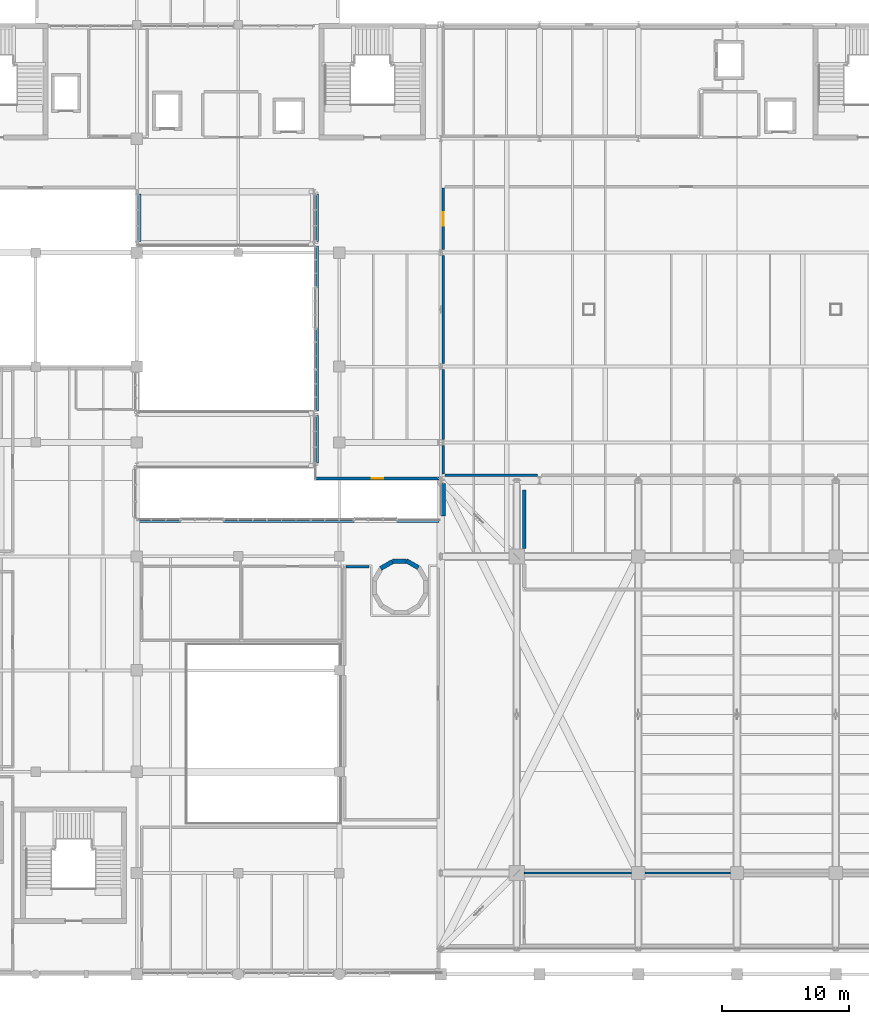
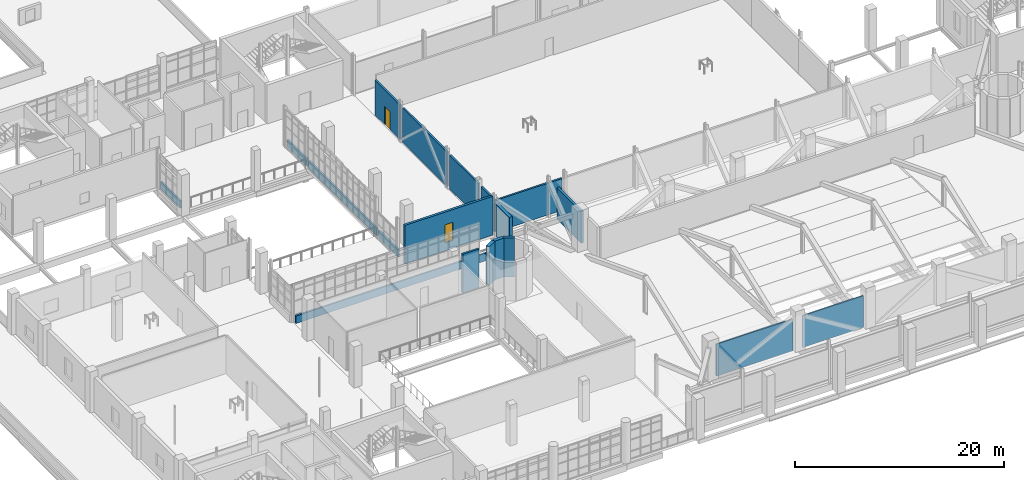
# One storey, part 112 of 127: 19 walls, 1 door, 1 window, 2 openings.
"""IFC4 building model written with IfcOpenShell, lengths in metres."""

from ifc_helpers import new_model, si_unit, derived_unit, direction, frame, frame_2d, origin, place, context, subcontext, project, spatial, rectangle, extrude, material, layer, layer_set, type_object, element, fill, save


model = new_model("IFC4")

# Units and contexts
model_context = context("Model", 3, precision=1e-05, world=origin(), true_north=direction((0.0, 1.0)))
body_context = subcontext(model_context, "Body", "Model", "MODEL_VIEW")
ifc_project = project(units=[si_unit("LENGTHUNIT", "METRE"), si_unit("AREAUNIT", "SQUARE_METRE"), si_unit("VOLUMEUNIT", "CUBIC_METRE"), si_unit("PLANEANGLEUNIT", "RADIAN"), si_unit("MASSUNIT", "GRAM", prefix="KILO"), derived_unit("THERMALTRANSMITTANCEUNIT", [(si_unit("POWERUNIT", "WATT"), 1), (si_unit("LENGTHUNIT", "METRE"), -2), (si_unit("THERMODYNAMICTEMPERATUREUNIT", "KELVIN"), -1)])], contexts=[model_context])

# Site, building, storey
site_placement = place(None, origin())
site = spatial("IfcSite", under=ifc_project, at=site_placement, CompositionType="ELEMENT")
building_placement = place(site_placement, origin())
building = spatial("IfcBuilding", under=site, at=building_placement, Name="Nallur Shell Playhouse", CompositionType="ELEMENT")
storey_placement = place(building_placement, frame((0.0, 0.0, 5.39990234375)))
storey = spatial("IfcBuildingStorey", under=building, at=storey_placement, Name="L02", CompositionType="ELEMENT", Elevation=5.39990234375)

# Walls
ifc_material_1 = material(Name="Concrete M45", Category="concrete")
ifc_layer_1 = layer(ifc_material_1, 0.39990234375)
ifc_layer_set_1 = layer_set([ifc_layer_1], Name="Concrete M45")
wall_type_1 = type_object("IfcWallType", Name="WL-CORE-400", PredefinedType="SHEAR", material=ifc_layer_set_1)
for number, where, z_axis, x_axis, name in (
    (1, (62.23291015625, 40.114990234375, 0.0), (0.0, 0.0, 1.0), (-0.866062834654, 0.499935162227, 0.0), "Metabolist service drum DR-1 facet 2 (L02)"),
    (2, (61.283447265625, 40.62841796875, 0.0), (0.0, 0.0, 1.0), (-1.0, 0.0, 0.0), "Metabolist service drum DR-1 facet 3 (L02)"),
    (3, (60.20458984375, 40.598388671875, 0.0), (0.0, 0.0, 1.0), (-0.86611865017, -0.499838457731, 0.0), "Metabolist service drum DR-1 facet 4 (L02)"),
):
    element("IfcWall", number, at=place(storey_placement, frame(where, z_axis=z_axis, x_axis=x_axis)), inside=storey, type_object=wall_type_1, Name=name, PredefinedType="SHEAR", context=body_context, shape_type="SweptSolid", body=[
        extrude(rectangle(XDim=1.093017578125, YDim=0.35009765625, at=frame_2d((0.54638671875, 0.0))), origin(), (0.0, 0.0, 1.0), 4.5400390625),
    ])
ifc_material_2 = material(Name="Concrete M35", Category="concrete")
ifc_layer_2 = layer(ifc_material_2, 0.35009765625)
ifc_layer_set_2 = layer_set([ifc_layer_2], Name="Concrete M35")
wall_type_2 = type_object("IfcWallType", Name="WL-EXT-AC350", PredefinedType="STANDARD", material=ifc_layer_set_2)
wall_1_placement = place(storey_placement, frame((64.195068359375, 44.18505859375, 0.0), z_axis=(0.0, 0.0, 1.0), x_axis=(0.0, 1.0, 0.0)))
element("IfcWall", 4, at=wall_1_placement, inside=storey, type_object=wall_type_2, Name="L02 exterior wall EW-L02-086", PredefinedType="STANDARD", context=body_context, shape_type="SweptSolid", body=[
    extrude(rectangle(XDim=2.58203125, YDim=0.35009765625, at=frame_2d((1.291015625, 0.0))), origin(), (0.0, 0.0, 1.0), 3.72509765625),
])

# Wall, opening, window
ifc_material_3 = material(Name="Precast concrete M40", Category="concrete")
ifc_layer_3 = layer(ifc_material_3, 0.260009765625)
ifc_layer_set_3 = layer_set([ifc_layer_3], Name="Precast concrete M40")
wall_type_3 = type_object("IfcWallType", Name="WL-EXT-CLAD260", PredefinedType="ELEMENTEDWALL", material=ifc_layer_set_3)
wall_2_placement = place(storey_placement, frame((63.8759765625, 47.14990234375, 0.0), z_axis=(0.0, 0.0, 1.0), x_axis=(-1.0, 0.0, 0.0)))
wall_2 = element("IfcWall", 5, at=wall_2_placement, inside=storey, type_object=wall_type_3, Name="L02 exterior wall EW-L02-087", PredefinedType="ELEMENTEDWALL", context=body_context, shape_type="SweptSolid", body=[
    extrude(rectangle(XDim=9.736083984375, YDim=0.260009765625, at=frame_2d((4.8681640625, 0.0))), origin(), (0.0, 0.0, 1.0), 4.5400390625),
])
opening_1_placement = place(wall_2_placement, frame((4.426025390625, 0.0, 0.949951171875)))
opening_1 = element("IfcOpeningElement", 6, at=opening_1_placement, cuts=wall_2, Name="Opening WN-04", PredefinedType="OPENING", context=body_context, shape_type="SweptSolid", body=[
    extrude(rectangle(XDim=0.89990234375, YDim=2.10009765625, at=frame_2d((0.449951171875, 1.050048828125))), frame((0.0, 0.14013671875, 0.0), z_axis=(0.0, -1.0, 0.0), x_axis=(1.0, 0.0, 0.0)), (0.0, 0.0, 1.0), 0.280029296875),
])
ifc_material_4 = material(Name="Thermally Broken Aluminium Acoustic Double-Glazed Window", Category="aluminium")
window_type = type_object("IfcWindowType", Name="WN-TYPE-04", PartitioningType="SINGLE_PANEL", PredefinedType="WINDOW", material=ifc_material_4)
window_placement = place(opening_1_placement, origin())
window = element("IfcWindow", 7, at=window_placement, inside=storey, type_object=window_type, Name="L02 facade module window 036", OverallHeight=2.10009765625, OverallWidth=0.89990234375, PartitioningType="SINGLE_PANEL", PredefinedType="WINDOW", context=body_context, shape_type="SweptSolid", body=[
    extrude(rectangle(XDim=0.89990234375, YDim=2.10009765625, at=frame_2d((0.449951171875, 1.050048828125))), frame((0.0, 0.030029296875, 0.0), z_axis=(0.0, -1.0, 0.0), x_axis=(1.0, 0.0, 0.0)), (0.0, 0.0, 1.0), 0.06005859375),
])
fill(opening_1, window)

# Walls
ifc_layer_4 = layer(ifc_material_2, 0.179931640625)
ifc_layer_set_4 = layer_set([ifc_layer_4], Name="Concrete M35")
wall_type_4 = type_object("IfcWallType", Name="WL-PARAPET-180", PredefinedType="PARAPET", material=ifc_layer_set_4)
wall_3_placement = place(storey_placement, frame((40.1201171875, 43.760009765625, 0.0), z_axis=(0.0, 0.0, 1.0), x_axis=(1.0, 0.0, 0.0)))
element("IfcWall", 8, at=wall_3_placement, inside=storey, type_object=wall_type_4, Name="L02 curtain-wall internal spandrel upstand 004", PredefinedType="PARAPET", context=body_context, shape_type="SweptSolid", body=[
    extrude(rectangle(XDim=23.759765625, YDim=0.179931640625, at=frame_2d((11.8798828125, 0.0))), origin(), (0.0, 0.0, 1.0), 0.880126953125),
])
wall_4_placement = place(storey_placement, frame((54.239990234375, 48.385009765625, 0.0), z_axis=(0.0, 0.0, 1.0), x_axis=(0.0, 1.0, 0.0)))
element("IfcWall", 9, at=wall_4_placement, inside=storey, type_object=wall_type_4, Name="L02 curtain-wall internal spandrel upstand 005", PredefinedType="PARAPET", context=body_context, shape_type="SweptSolid", body=[
    extrude(rectangle(XDim=3.72998046875, YDim=0.179931640625, at=frame_2d((1.864990234375, 0.0))), origin(), (0.0, 0.0, 1.0), 0.880126953125),
])
wall_5_placement = place(storey_placement, frame((54.239990234375, 52.485107421875, 0.0), z_axis=(0.0, 0.0, 1.0), x_axis=(0.0, 1.0, 0.0)))
element("IfcWall", 10, at=wall_5_placement, inside=storey, type_object=wall_type_4, Name="L02 curtain-wall internal spandrel upstand 006", PredefinedType="PARAPET", context=body_context, shape_type="SweptSolid", body=[
    extrude(rectangle(XDim=13.02978515625, YDim=0.179931640625, at=frame_2d((6.514892578125, 0.0))), origin(), (0.0, 0.0, 1.0), 0.880126953125),
])
for number, where, z_axis, x_axis, name in (
    (11, (54.239990234375, 65.885009765625, 0.0), (0.0, 0.0, 1.0), (0.0, 1.0, 0.0), "L02 curtain-wall internal spandrel upstand 007"),
    (12, (40.239990234375, 65.885009765625, 0.0), (0.0, 0.0, 1.0), (0.0, 1.0, 0.0), "L02 curtain-wall internal spandrel upstand 009"),
):
    element("IfcWall", number, at=place(storey_placement, frame(where, z_axis=z_axis, x_axis=x_axis)), inside=storey, type_object=wall_type_4, Name=name, PredefinedType="PARAPET", context=body_context, shape_type="SweptSolid", body=[
        extrude(rectangle(XDim=3.72998046875, YDim=0.179931640625, at=frame_2d((1.864990234375, 0.0))), origin(), (0.0, 0.0, 1.0), 0.880126953125),
    ])
ifc_material_5 = material(Name="Concrete M30", Category="concrete")
ifc_layer_5 = layer(ifc_material_5, 0.199951171875)
ifc_layer_set_5 = layer_set([ifc_layer_5], Name="Concrete M30")
wall_type_5 = type_object("IfcWallType", Name="WL-PART-AC200", PredefinedType="PARTITIONING", material=ifc_layer_set_5)
wall_6_placement = place(storey_placement, frame((56.52001953125, 40.199951171875, 0.0), z_axis=(0.0, 0.0, 1.0), x_axis=(1.0, 0.0, 0.0)))
element("IfcWall", 13, at=wall_6_placement, inside=storey, type_object=wall_type_5, Name="Stalls Interval Champagne & Coffee Bar partition IW-L02-0149", PredefinedType="PARTITIONING", context=body_context, shape_type="SweptSolid", body=[
    extrude(rectangle(XDim=1.81005859375, YDim=0.199951171875, at=frame_2d((0.905029296875, 0.0))), origin(), (0.0, 0.0, 1.0), 4.530029296875),
])
wall_7_placement = place(storey_placement, frame((71.659912109375, 47.39990234375, 0.0), z_axis=(0.0, 0.0, 1.0), x_axis=(-1.0, 0.0, 0.0)))
element("IfcWall", 14, at=wall_7_placement, inside=storey, type_object=wall_type_5, Name="Stage Dimmer, Amplifier & Rack Room partition IW-L02-0181", PredefinedType="PARTITIONING", context=body_context, shape_type="SweptSolid", body=[
    extrude(rectangle(XDim=7.33984375, YDim=0.199951171875, at=frame_2d((3.669921875, 0.0))), origin(), (0.0, 0.0, 1.0), 3.72021484375),
])
wall_8_placement = place(storey_placement, frame((64.199951171875, 47.52001953125, 0.0), z_axis=(0.0, 0.0, 1.0), x_axis=(0.0, 1.0, 0.0)))
element("IfcWall", 15, at=wall_8_placement, inside=storey, type_object=wall_type_5, Name="Stage Dimmer, Amplifier & Rack Room partition IW-L02-0182", PredefinedType="PARTITIONING", context=body_context, shape_type="SweptSolid", body=[
    extrude(rectangle(XDim=2.239990234375, YDim=0.199951171875, at=frame_2d((1.1201171875, 0.0))), origin(), (0.0, 0.0, 1.0), 3.920166015625),
])
wall_9_placement = place(storey_placement, frame((64.199951171875, 50.239990234375, 0.0), z_axis=(0.0, 0.0, 1.0), x_axis=(0.0, 1.0, 0.0)))
element("IfcWall", 16, at=wall_9_placement, inside=storey, type_object=wall_type_5, Name="Stage Dimmer, Amplifier & Rack Room partition IW-L02-0183", PredefinedType="PARTITIONING", context=body_context, shape_type="SweptSolid", body=[
    extrude(rectangle(XDim=5.52001953125, YDim=0.199951171875, at=frame_2d((2.760009765625, 0.0))), origin(), (0.0, 0.0, 1.0), 3.97021484375),
])
wall_10_placement = place(storey_placement, frame((64.199951171875, 56.239990234375, 0.0), z_axis=(0.0, 0.0, 1.0), x_axis=(0.0, 1.0, 0.0)))
element("IfcWall", 17, at=wall_10_placement, inside=storey, type_object=wall_type_5, Name="Stage Dimmer, Amplifier & Rack Room partition IW-L02-0184", PredefinedType="PARTITIONING", context=body_context, shape_type="SweptSolid", body=[
    extrude(rectangle(XDim=8.52001953125, YDim=0.199951171875, at=frame_2d((4.260009765625, 0.0))), origin(), (0.0, 0.0, 1.0), 4.02001953125),
])

# Wall, opening, door
wall_11_placement = place(storey_placement, frame((64.199951171875, 65.239990234375, 0.0), z_axis=(0.0, 0.0, 1.0), x_axis=(0.0, 1.0, 0.0)))
wall_11 = element("IfcWall", 18, at=wall_11_placement, inside=storey, type_object=wall_type_5, Name="Stage Dimmer, Amplifier & Rack Room partition IW-L02-0185", PredefinedType="PARTITIONING", context=body_context, shape_type="SweptSolid", body=[
    extrude(rectangle(XDim=4.840087890625, YDim=0.199951171875, at=frame_2d((2.419921875, 0.0))), origin(), (0.0, 0.0, 1.0), 4.070068359375),
])
opening_2_placement = place(wall_11_placement, frame((1.89501953125, 0.0, 0.0)))
opening_2 = element("IfcOpeningElement", 19, at=opening_2_placement, cuts=wall_11, Name="Opening ID-01", PredefinedType="OPENING", context=body_context, shape_type="SweptSolid", body=[
    extrude(rectangle(XDim=1.050048828125, YDim=2.14990234375, at=frame_2d((0.52490234375, 1.074951171875))), frame((0.0, 0.10986328125, 0.0), z_axis=(0.0, -1.0, 0.0), x_axis=(1.0, 0.0, 0.0)), (0.0, 0.0, 1.0), 0.219970703125),
])
ifc_material_6 = material(Name="Solid-Core Engineered Timber Fire Door", Category="wood")
door_type = type_object("IfcDoorType", Name="DR-INT-SGL1050L", OperationType="SINGLE_SWING_LEFT", PredefinedType="DOOR", material=ifc_material_6)
door_placement = place(opening_2_placement, origin())
door = element("IfcDoor", 20, at=door_placement, inside=storey, type_object=door_type, Name="Stage Dimmer, Amplifier & Rack Room door 2", OperationType="SINGLE_SWING_LEFT", OverallHeight=2.14990234375, OverallWidth=1.050048828125, PredefinedType="DOOR", context=body_context, shape_type="SweptSolid", body=[
    extrude(rectangle(XDim=1.050048828125, YDim=2.14990234375, at=frame_2d((0.52490234375, 1.074951171875))), frame((0.0, 0.02490234375, 0.0), z_axis=(0.0, -1.0, 0.0), x_axis=(1.0, 0.0, 0.0)), (0.0, 0.0, 1.0), 0.050048828125),
])
fill(opening_2, door)

# Walls
ifc_layer_6 = layer(ifc_material_5, 0.25)
ifc_layer_set_6 = layer_set([ifc_layer_6], Name="Concrete M30")
wall_type_6 = type_object("IfcWallType", Name="WL-PART-AC250", PredefinedType="PARTITIONING", material=ifc_layer_set_6)
wall_12_placement = place(storey_placement, frame((70.60009765625, 41.614990234375, 0.0), z_axis=(0.0, 0.0, 1.0), x_axis=(0.0, 1.0, 0.0)))
element("IfcWall", 21, at=wall_12_placement, inside=storey, type_object=wall_type_6, Name="Main Theatre Auditorium Stalls Bowl partition IW-L02-0138", PredefinedType="PARTITIONING", context=body_context, shape_type="SweptSolid", body=[
    extrude(rectangle(XDim=4.639892578125, YDim=0.25, at=frame_2d((2.31982421875, 0.0))), origin(), (0.0, 0.0, 1.0), 3.72021484375),
])
ifc_material_7 = material(Name="Concrete M25 Fire Blockwork", Category="masonry")
ifc_layer_7 = layer(ifc_material_7, 0.14990234375)
ifc_layer_set_7 = layer_set([ifc_layer_7], Name="Concrete M25 Fire Blockwork")
wall_type_7 = type_object("IfcWallType", Name="WL-PART-FR150", PredefinedType="PARTITIONING", material=ifc_layer_set_7)
wall_13_placement = place(storey_placement, frame((70.60400390625, 16.0, 0.0), z_axis=(0.0, 0.0, 1.0), x_axis=(1.0, 0.0, 0.0)))
element("IfcWall", 22, at=wall_13_placement, inside=storey, type_object=wall_type_7, Name="South Cantilevered Stalls Foyer Gallery partition IW-L02-0139", PredefinedType="PARTITIONING", context=body_context, shape_type="SweptSolid", body=[
    extrude(rectangle(XDim=8.4560546875, YDim=0.14990234375, at=frame_2d((4.22802734375, 0.0))), origin(), (0.0, 0.0, 1.0), 3.72021484375),
])
wall_14_placement = place(storey_placement, frame((80.139892578125, 16.0, 0.0), z_axis=(0.0, 0.0, 1.0), x_axis=(1.0, 0.0, 0.0)))
element("IfcWall", 23, at=wall_14_placement, inside=storey, type_object=wall_type_7, Name="South Cantilevered Stalls Foyer Gallery partition IW-L02-0140", PredefinedType="PARTITIONING", context=body_context, shape_type="SweptSolid", body=[
    extrude(rectangle(XDim=6.72021484375, YDim=0.14990234375, at=frame_2d((3.360107421875, 0.0))), origin(), (0.0, 0.0, 1.0), 3.72021484375),
])

save(model, "model.ifc")
